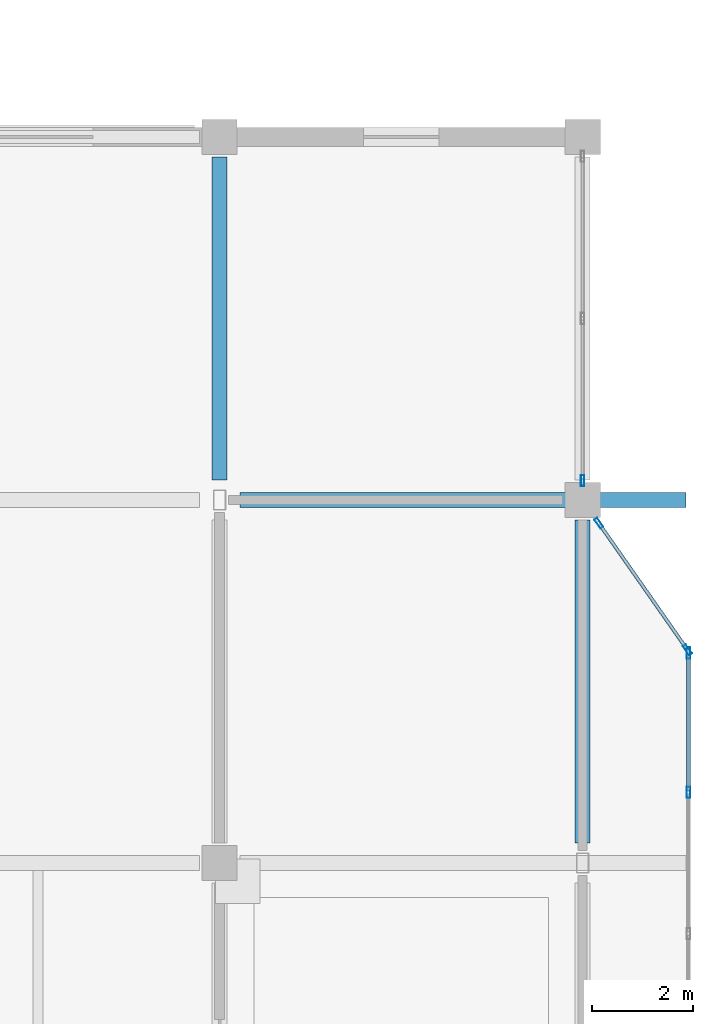
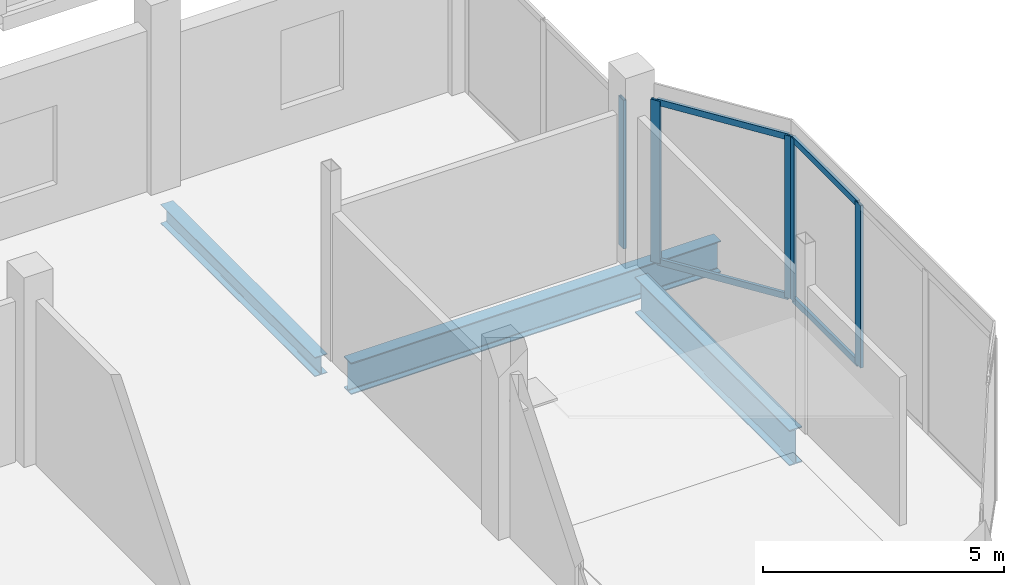
# One storey, part 72 of 120: 9 members, 3 beams, 3 elements without a shape of their own.
"""IFC4 building model written with IfcOpenShell, lengths in metres."""

from ifc_helpers import new_model, si_unit, direction, frame, origin, origin_2d, place, context, subcontext, project, spatial, hollow_rectangle, i_section, extrude, material, material_profile, profile_set, type_object, element, aggregate, save


model = new_model("IFC4")

# Units and contexts
model_context = context("Model", 3, precision=1e-05, world=origin(), true_north=direction((0.0, 1.0)))
body_context = subcontext(model_context, "Body", "Model", "MODEL_VIEW")
ifc_project = project(units=[si_unit("LENGTHUNIT", "METRE"), si_unit("AREAUNIT", "SQUARE_METRE"), si_unit("VOLUMEUNIT", "CUBIC_METRE"), si_unit("PLANEANGLEUNIT", "RADIAN"), si_unit("MASSUNIT", "GRAM", prefix="KILO")], contexts=[model_context])

# Site, building, storey
site_placement = place(None, origin())
site = spatial("IfcSite", under=ifc_project, at=site_placement, CompositionType="ELEMENT")
building_placement = place(site_placement, origin())
building = spatial("IfcBuilding", under=site, at=building_placement, Name="Vesperath Aquatics Centre", CompositionType="ELEMENT")
storey_placement = place(building_placement, frame((0.0, 0.0, 10.199951171875)))
storey = spatial("IfcBuildingStorey", under=building, at=storey_placement, Name="L02", CompositionType="ELEMENT", Elevation=10.199951171875)

# Beams
ifc_material_1 = material(Name="Steel Q355D", Category="steel")
ifc_material_profile_1 = material_profile(ifc_material_1, i_section(OverallWidth=0.300048828125, OverallDepth=0.89990234375, WebThickness=0.01611328125, FlangeThickness=0.028076171875, FilletRadius=0.028076171875, at=origin_2d()), Name="HN 900x300x16x28")
ifc_profile_set_1 = profile_set([ifc_material_profile_1], Name="Steel Q355D")
beam_type_1 = type_object("IfcBeamType", Name="BM-G06", PredefinedType="BEAM", material=ifc_profile_set_1)
beam_1_placement = place(storey_placement, frame((172.800048828125, 29.199951171875, -0.7099609375), z_axis=(0.0, 1.0, 0.0), x_axis=(-1.0, 0.0, 0.0)))
element("IfcBeam", 1, at=beam_1_placement, inside=storey, type_object=beam_type_1, Name="Floor Girder B06 L02 25 E-F", PredefinedType="BEAM", context=body_context, shape_type="SweptSolid", body=[
    extrude(i_section(OverallWidth=0.300048828125, OverallDepth=0.89990234375, WebThickness=0.01611328125, FlangeThickness=0.028076171875, FilletRadius=0.028076171875, at=origin_2d()), origin(), (0.0, 0.0, 1.0), 6.400146484375),
])
ifc_material_profile_2 = material_profile(ifc_material_1, i_section(OverallWidth=0.300048828125, OverallDepth=0.800048828125, WebThickness=0.013916015625, FlangeThickness=0.02587890625, FilletRadius=0.028076171875, at=origin_2d()), Name="HN 800x300x14x26")
ifc_profile_set_2 = profile_set([ifc_material_profile_2], Name="Steel Q355D")
beam_type_2 = type_object("IfcBeamType", Name="BM-G07", PredefinedType="BEAM", material=ifc_profile_set_2)
beam_2_placement = place(storey_placement, frame((166.0, 36.0, -0.659912109375), z_axis=(1.0, 0.0, 0.0), x_axis=(0.0, 1.0, 0.0)))
element("IfcBeam", 2, at=beam_2_placement, inside=storey, type_object=beam_type_2, Name="Floor Girder B07 L02 F 24-25", PredefinedType="BEAM", context=body_context, shape_type="SweptSolid", body=[
    extrude(i_section(OverallWidth=0.300048828125, OverallDepth=0.800048828125, WebThickness=0.013916015625, FlangeThickness=0.02587890625, FilletRadius=0.028076171875, at=origin_2d()), origin(), (0.0, 0.0, 1.0), 8.85009765625),
])
ifc_material_2 = material(Name="Steel Q355C", Category="steel")
ifc_material_profile_3 = material_profile(ifc_material_2, i_section(OverallWidth=0.300048828125, OverallDepth=0.488037109375, WebThickness=0.010986328125, FlangeThickness=0.01806640625, FilletRadius=0.02587890625, at=origin_2d()), Name="HM 488x300x11x18")
ifc_profile_set_3 = profile_set([ifc_material_profile_3], Name="Steel Q355C")
beam_type_3 = type_object("IfcBeamType", Name="BM-G10", PredefinedType="BEAM", material=ifc_profile_set_3)
beam_3_placement = place(storey_placement, frame((165.60009765625, 36.39990234375, -0.50390625), z_axis=(0.0, 1.0, 0.0), x_axis=(-1.0, 0.0, 0.0)))
element("IfcBeam", 3, at=beam_3_placement, inside=storey, type_object=beam_type_3, Name="Floor Girder B10 L02 24 F-G", PredefinedType="BEAM", context=body_context, shape_type="SweptSolid", body=[
    extrude(i_section(OverallWidth=0.300048828125, OverallDepth=0.488037109375, WebThickness=0.010986328125, FlangeThickness=0.01806640625, FilletRadius=0.02587890625, at=origin_2d()), origin(), (0.0, 0.0, 1.0), 6.400146484375),
])

# Curtain wall, member
ifc_material_3 = material(Name="Thermally broken anodised bronze aluminium curtain wall", Category="aluminium")
curtain_wall_type = type_object("IfcCurtainWallType", Name="CW-06", PredefinedType="NOTDEFINED", material=ifc_material_3)
curtain_wall_1_placement = place(storey_placement, origin())
curtain_wall_1 = element("IfcCurtainWall", 4, at=curtain_wall_1_placement, inside=storey, type_object=curtain_wall_type, Name="Facade Curtain Wall CW06 L02_E_24_05", PredefinedType="NOTDEFINED")
ifc_material_4 = material(Name="Thermally broken anodised aluminium", Category="aluminium")
ifc_material_profile_4 = material_profile(ifc_material_4, hollow_rectangle(XDim=0.070068359375, YDim=0.219970703125, WallThickness=0.0048828125, at=origin_2d()), Name="CWM 70x220x5")
ifc_profile_set_4 = profile_set([ifc_material_profile_4], Name="Thermally broken anodised aluminium")
member_type_1 = type_object("IfcMemberType", Name="MB-CWM2", PredefinedType="MULLION", material=ifc_profile_set_4)
member_1_placement = place(storey_placement, frame((172.800048828125, 36.385009765625, 0.0), z_axis=(0.0, 0.0, 1.0), x_axis=(-1.0, 0.0, 0.0)))
member_1 = element("IfcMember", 5, at=member_1_placement, type_object=member_type_1, Name="CW06 mullion 1", PredefinedType="MULLION", context=body_context, shape_type="SweptSolid", body=[
    extrude(hollow_rectangle(XDim=0.070068359375, YDim=0.219970703125, WallThickness=0.0048828125, at=origin_2d()), origin(), (0.0, 0.0, 1.0), 3.760009765625),
])
aggregate(curtain_wall_1, [member_1])

# Curtain wall, members
curtain_wall_2_placement = place(storey_placement, origin())
curtain_wall_2 = element("IfcCurtainWall", 6, at=curtain_wall_2_placement, inside=storey, type_object=curtain_wall_type, Name="East Avenue Bow Oriel Curtain Wall L02-C", PredefinedType="NOTDEFINED")
member_2_placement = place(storey_placement, frame((174.89990234375, 30.199951171875, 0.0), z_axis=(0.0, 0.0, 1.0), x_axis=(-1.0, 0.0, 0.0)))
member_2 = element("IfcMember", 7, at=member_2_placement, type_object=member_type_1, Name="CW06 mullion 3", PredefinedType="MULLION", context=body_context, shape_type="SweptSolid", body=[
    extrude(hollow_rectangle(XDim=0.070068359375, YDim=0.219970703125, WallThickness=0.0048828125, at=origin_2d()), origin(), (0.0, 0.0, 1.0), 4.110107421875),
])
member_3_placement = place(storey_placement, frame((174.89990234375, 32.965087890625, 0.0), z_axis=(0.0, 0.0, 1.0), x_axis=(-1.0, 0.0, 0.0)))
member_3 = element("IfcMember", 8, at=member_3_placement, type_object=member_type_1, Name="CW06 mullion 4", PredefinedType="MULLION", context=body_context, shape_type="SweptSolid", body=[
    extrude(hollow_rectangle(XDim=0.070068359375, YDim=0.219970703125, WallThickness=0.0048828125, at=origin_2d()), origin(), (0.0, 0.0, 1.0), 4.110107421875),
])

curtain_wall_3_placement = place(storey_placement, origin())
curtain_wall_3 = element("IfcCurtainWall", 9, at=curtain_wall_3_placement, inside=storey, type_object=curtain_wall_type, Name="East Avenue Bow Oriel Curtain Wall L02-N", PredefinedType="NOTDEFINED")
member_4_placement = place(storey_placement, frame((174.8798828125, 33.028564453125, 0.0), z_axis=(0.0, 0.0, 1.0), x_axis=(-0.819231920515, -0.57346234437, 0.0)))
member_4 = element("IfcMember", 10, at=member_4_placement, type_object=member_type_1, Name="CW06 mullion 1", PredefinedType="MULLION", context=body_context, shape_type="SweptSolid", body=[
    extrude(hollow_rectangle(XDim=0.070068359375, YDim=0.219970703125, WallThickness=0.0048828125, at=origin_2d()), origin(), (0.0, 0.0, 1.0), 4.110107421875),
])
member_5_placement = place(storey_placement, frame((173.12109375, 35.541259765625, 0.0), z_axis=(0.0, 0.0, 1.0), x_axis=(-0.819231920515, -0.57346234437, 0.0)))
member_5 = element("IfcMember", 11, at=member_5_placement, type_object=member_type_1, Name="CW06 mullion 2", PredefinedType="MULLION", context=body_context, shape_type="SweptSolid", body=[
    extrude(hollow_rectangle(XDim=0.070068359375, YDim=0.219970703125, WallThickness=0.0048828125, at=origin_2d()), origin(), (0.0, 0.0, 1.0), 4.110107421875),
])

# Member
ifc_material_profile_5 = material_profile(ifc_material_4, hollow_rectangle(XDim=0.070068359375, YDim=0.159912109375, WallThickness=0.0048828125, at=origin_2d()), Name="CWT 70x160x5")
ifc_profile_set_5 = profile_set([ifc_material_profile_5], Name="Thermally broken anodised aluminium")
member_type_2 = type_object("IfcMemberType", Name="MB-CWT2", PredefinedType="USERDEFINED", material=ifc_profile_set_5)
member_6_placement = place(storey_placement, frame((174.89990234375, 30.235107421875, 0.03515625), z_axis=(0.0, 1.0, 0.0), x_axis=(-1.0, 0.0, 0.0)))
member_6 = element("IfcMember", 12, at=member_6_placement, type_object=member_type_2, Name="CW06 transom 3.1", ObjectType="TRANSOM", PredefinedType="USERDEFINED", context=body_context, shape_type="SweptSolid", body=[
    extrude(hollow_rectangle(XDim=0.070068359375, YDim=0.159912109375, WallThickness=0.0048828125, at=origin_2d()), origin(), (0.0, 0.0, 1.0), 2.69482421875),
])

member_7_placement = place(storey_placement, frame((174.89990234375, 30.235107421875, 4.074951171875), z_axis=(0.0, 1.0, 0.0), x_axis=(-1.0, 0.0, 0.0)))
member_7 = element("IfcMember", 13, at=member_7_placement, type_object=member_type_2, Name="CW06 transom 3.2", ObjectType="TRANSOM", PredefinedType="USERDEFINED", context=body_context, shape_type="SweptSolid", body=[
    extrude(hollow_rectangle(XDim=0.070068359375, YDim=0.159912109375, WallThickness=0.0048828125, at=origin_2d()), origin(), (0.0, 0.0, 1.0), 2.69482421875),
])

aggregate(curtain_wall_2, [member_2, member_3, member_6, member_7])

member_8_placement = place(storey_placement, frame((174.85986328125, 33.057373046875, 0.03515625), z_axis=(-0.573467811364, 0.819228093592, 0.0), x_axis=(-0.819228093592, -0.573467811364, 0.0)))
member_8 = element("IfcMember", 14, at=member_8_placement, type_object=member_type_2, Name="CW06 transom 1.1", ObjectType="TRANSOM", PredefinedType="USERDEFINED", context=body_context, shape_type="SweptSolid", body=[
    extrude(hollow_rectangle(XDim=0.070068359375, YDim=0.159912109375, WallThickness=0.0048828125, at=origin_2d()), origin(), (0.0, 0.0, 1.0), 2.9970703125),
])

member_9_placement = place(storey_placement, frame((174.85986328125, 33.057373046875, 4.074951171875), z_axis=(-0.573467811364, 0.819228093592, 0.0), x_axis=(-0.819228093592, -0.573467811364, 0.0)))
member_9 = element("IfcMember", 15, at=member_9_placement, type_object=member_type_2, Name="CW06 transom 1.2", ObjectType="TRANSOM", PredefinedType="USERDEFINED", context=body_context, shape_type="SweptSolid", body=[
    extrude(hollow_rectangle(XDim=0.070068359375, YDim=0.159912109375, WallThickness=0.0048828125, at=origin_2d()), origin(), (0.0, 0.0, 1.0), 2.9970703125),
])

aggregate(curtain_wall_3, [member_4, member_5, member_8, member_9])

save(model, "model.ifc")
